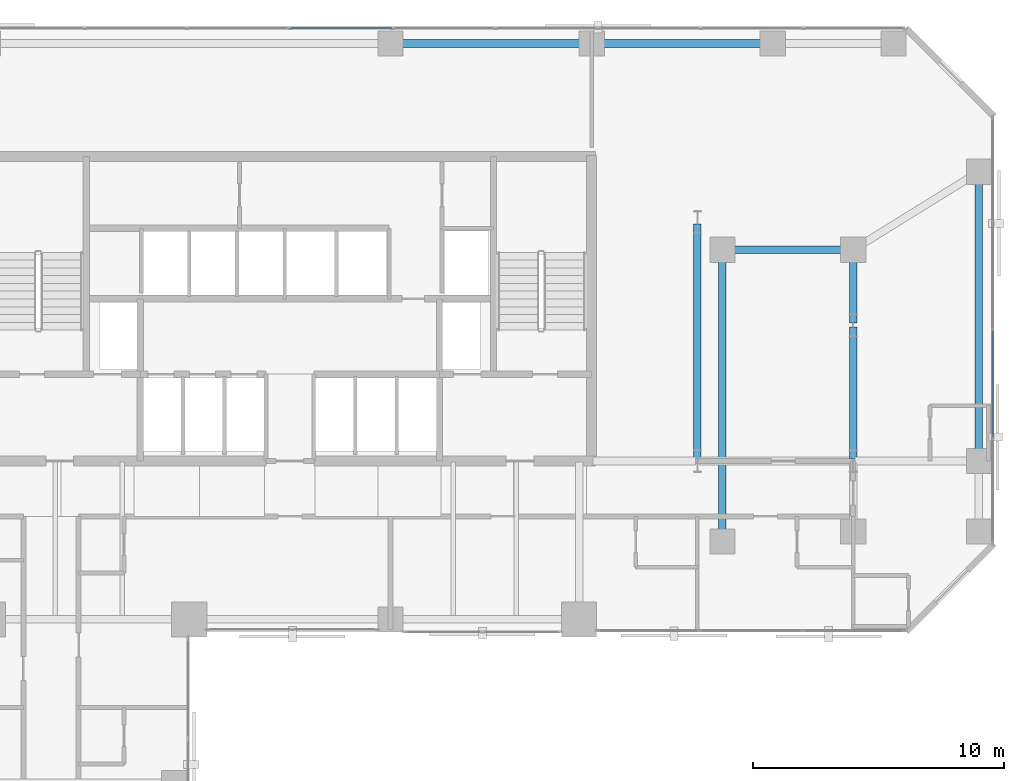
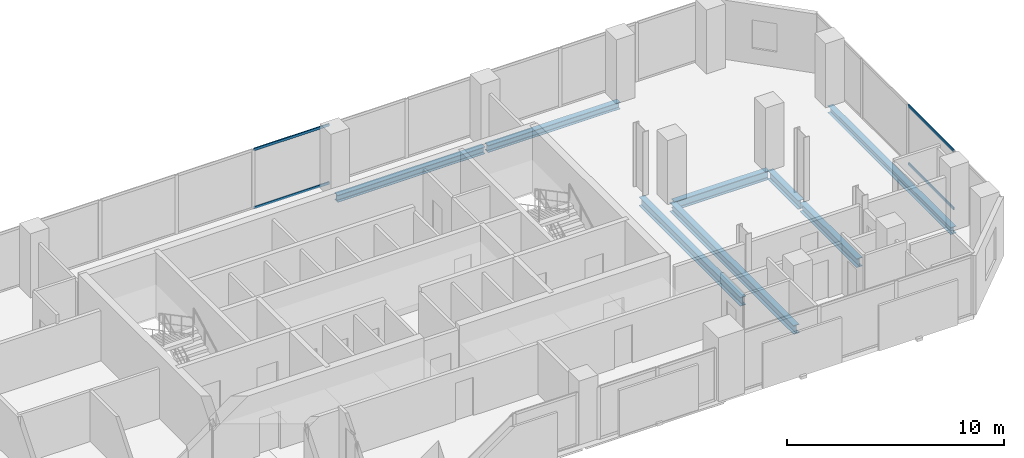
# One storey, part 22 of 31: 8 beams, 4 members, 2 elements without a shape of their own.
"""IFC4 building model written with IfcOpenShell, lengths in metres."""

from ifc_helpers import new_model, si_unit, direction, frame, origin, origin_2d, place, context, subcontext, project, spatial, hollow_rectangle, i_section, extrude, material, layer, layer_set, material_profile, profile_set, type_object, element, aggregate, save


model = new_model("IFC4")

# Units and contexts
model_context = context("Model", 3, precision=1e-05, world=origin(), true_north=direction((0.0, 1.0)))
body_context = subcontext(model_context, "Body", "Model", "MODEL_VIEW")
ifc_project = project(units=[si_unit("LENGTHUNIT", "METRE"), si_unit("AREAUNIT", "SQUARE_METRE"), si_unit("VOLUMEUNIT", "CUBIC_METRE"), si_unit("PLANEANGLEUNIT", "RADIAN"), si_unit("MASSUNIT", "GRAM", prefix="KILO")], contexts=[model_context])

# Site, building, storey
site_placement = place(None, origin())
site = spatial("IfcSite", under=ifc_project, at=site_placement, CompositionType="ELEMENT")
building_placement = place(site_placement, origin())
building = spatial("IfcBuilding", under=site, at=building_placement, Name="Catumbela Crestline Tower", CompositionType="ELEMENT")
storey_placement = place(building_placement, frame((0.0, 0.0, 40.2)))
storey = spatial("IfcBuildingStorey", under=building, at=storey_placement, Name="L09", CompositionType="ELEMENT", Elevation=40.2)

# Beams
ifc_material_1 = material(Name="Structural steel S355J2", Category="steel")
ifc_material_profile_1 = material_profile(ifc_material_1, i_section(OverallWidth=0.3, OverallDepth=0.5, WebThickness=0.0145, FlangeThickness=0.028, FilletRadius=0.027, at=origin_2d()), Name="HEB 500")
ifc_profile_set_1 = profile_set([ifc_material_profile_1], Name="Structural steel S355J2")
beam_type_1 = type_object("IfcBeamType", Name="BG-HEB500", PredefinedType="BEAM", material=ifc_profile_set_1)
beam_1_placement = place(storey_placement, frame((45.28, 39.2, -0.51), z_axis=(1.0, 0.0, 0.0), x_axis=(0.0, 1.0, 0.0)))
element("IfcBeam", 1, at=beam_1_placement, inside=storey, type_object=beam_type_1, Name="L09 Beam BM-L09-N17", PredefinedType="BEAM", context=body_context, shape_type="SweptSolid", body=[
    extrude(i_section(OverallWidth=0.3, OverallDepth=0.5, WebThickness=0.0145, FlangeThickness=0.028, FilletRadius=0.027, at=origin_2d()), origin(), (0.0, 0.0, 1.0), 5.04),
])
beam_2_placement = place(storey_placement, frame((44.2, 30.88, -0.51), z_axis=(0.0, 1.0, 0.0), x_axis=(-1.0, 0.0, 0.0)))
element("IfcBeam", 2, at=beam_2_placement, inside=storey, type_object=beam_type_1, Name="L09 Beam BM-L09-SN35", PredefinedType="BEAM", context=body_context, shape_type="SweptSolid", body=[
    extrude(i_section(OverallWidth=0.3, OverallDepth=0.5, WebThickness=0.0145, FlangeThickness=0.028, FilletRadius=0.027, at=origin_2d()), origin(), (0.0, 0.0, 1.0), 9.34),
])
beam_3_placement = place(storey_placement, frame((45.2, 27.68, -0.51), z_axis=(0.0, 1.0, 0.0), x_axis=(-1.0, 0.0, 0.0)))
element("IfcBeam", 3, at=beam_3_placement, inside=storey, type_object=beam_type_1, Name="L09 Beam BM-L09-SN36", PredefinedType="BEAM", context=body_context, shape_type="SweptSolid", body=[
    extrude(i_section(OverallWidth=0.3, OverallDepth=0.5, WebThickness=0.0145, FlangeThickness=0.028, FilletRadius=0.027, at=origin_2d()), origin(), (0.0, 0.0, 1.0), 11.44),
])
beam_4_placement = place(storey_placement, frame((50.4, 30.88, -0.51), z_axis=(0.0, 1.0, 0.0), x_axis=(-1.0, 0.0, 0.0)))
element("IfcBeam", 4, at=beam_4_placement, inside=storey, type_object=beam_type_1, Name="L09 Beam BM-L09-SN38", PredefinedType="BEAM", context=body_context, shape_type="SweptSolid", body=[
    extrude(i_section(OverallWidth=0.3, OverallDepth=0.5, WebThickness=0.0145, FlangeThickness=0.028, FilletRadius=0.027, at=origin_2d()), origin(), (0.0, 0.0, 1.0), 5.24),
])
beam_5_placement = place(storey_placement, frame((50.4, 36.28, -0.51), z_axis=(0.0, 1.0, 0.0), x_axis=(-1.0, 0.0, 0.0)))
element("IfcBeam", 5, at=beam_5_placement, inside=storey, type_object=beam_type_1, Name="L09 Beam BM-L09-SN39", PredefinedType="BEAM", context=body_context, shape_type="SweptSolid", body=[
    extrude(i_section(OverallWidth=0.3, OverallDepth=0.5, WebThickness=0.0145, FlangeThickness=0.028, FilletRadius=0.027, at=origin_2d()), origin(), (0.0, 0.0, 1.0), 2.84),
])
ifc_material_profile_2 = material_profile(ifc_material_1, i_section(OverallWidth=0.3, OverallDepth=0.39, WebThickness=0.011, FlangeThickness=0.019, FilletRadius=0.027, at=origin_2d()), Name="HEA 400")
ifc_profile_set_2 = profile_set([ifc_material_profile_2], Name="Structural steel S355J2")
beam_type_2 = type_object("IfcBeamType", Name="BS-HEA400", PredefinedType="SPANDREL", material=ifc_profile_set_2)
beam_6_placement = place(storey_placement, frame((32.08, 47.4, -0.455), z_axis=(1.0, 0.0, 0.0), x_axis=(0.0, 1.0, 0.0)))
element("IfcBeam", 6, at=beam_6_placement, inside=storey, type_object=beam_type_2, Name="L09 Spandrel SP-L09-NF22", PredefinedType="SPANDREL", context=body_context, shape_type="SweptSolid", body=[
    extrude(i_section(OverallWidth=0.3, OverallDepth=0.39, WebThickness=0.011, FlangeThickness=0.019, FilletRadius=0.027, at=origin_2d()), origin(), (0.0, 0.0, 1.0), 7.84),
])
beam_7_placement = place(storey_placement, frame((40.08, 47.4, -0.455), z_axis=(1.0, 0.0, 0.0), x_axis=(0.0, 1.0, 0.0)))
element("IfcBeam", 7, at=beam_7_placement, inside=storey, type_object=beam_type_2, Name="L09 Spandrel SP-L09-NF23", PredefinedType="SPANDREL", context=body_context, shape_type="SweptSolid", body=[
    extrude(i_section(OverallWidth=0.3, OverallDepth=0.39, WebThickness=0.011, FlangeThickness=0.019, FilletRadius=0.027, at=origin_2d()), origin(), (0.0, 0.0, 1.0), 7.04),
])
beam_8_placement = place(storey_placement, frame((55.4, 30.88, -0.455), z_axis=(0.0, 1.0, 0.0), x_axis=(-1.0, 0.0, 0.0)))
element("IfcBeam", 8, at=beam_8_placement, inside=storey, type_object=beam_type_2, Name="L09 Spandrel SP-L09-SN41", PredefinedType="SPANDREL", context=body_context, shape_type="SweptSolid", body=[
    extrude(i_section(OverallWidth=0.3, OverallDepth=0.39, WebThickness=0.011, FlangeThickness=0.019, FilletRadius=0.027, at=origin_2d()), origin(), (0.0, 0.0, 1.0), 11.34),
])

# Curtain wall, members
ifc_material_2 = material(Name="Aluminium alloy AW-6060-T66", Category="aluminium")
ifc_layer = layer(ifc_material_2, 0.18, Name="Aluminium alloy AW-6060-T66")
ifc_layer_set = layer_set([ifc_layer], Name="Aluminium alloy AW-6060-T66")
curtain_wall_type = type_object("IfcCurtainWallType", Name="CWU-Z1", PredefinedType="USERDEFINED", material=ifc_layer_set)
curtain_wall_1_placement = place(storey_placement, origin())
curtain_wall_1 = element("IfcCurtainWall", 9, at=curtain_wall_1_placement, inside=storey, type_object=curtain_wall_type, Name="L09 Unitised Curtain Wall CW-L09-E5S1", ObjectType="UNITISED", PredefinedType="USERDEFINED")
ifc_material_profile_3 = material_profile(ifc_material_2, hollow_rectangle(XDim=0.06, YDim=0.14, WallThickness=0.004, at=origin_2d()), Name="ALU 140x60x4")
ifc_profile_set_3 = profile_set([ifc_material_profile_3], Name="Aluminium alloy AW-6060-T66")
member_type = type_object("IfcMemberType", Name="TRN-140X60", PredefinedType="USERDEFINED", material=ifc_profile_set_3)
member_1_placement = place(storey_placement, frame((55.95, 31.7825, 0.03), z_axis=(0.0, 1.0, 0.0), x_axis=(-1.0, 0.0, 0.0)))
member_1 = element("IfcMember", 10, at=member_1_placement, type_object=member_type, Name="CWU-Z1 transom 2.1", ObjectType="TRANSOM", PredefinedType="USERDEFINED", context=body_context, shape_type="SweptSolid", body=[
    extrude(hollow_rectangle(XDim=0.06, YDim=0.14, WallThickness=0.004, at=origin_2d()), origin(), (0.0, 0.0, 1.0), 4.185),
])
member_2_placement = place(storey_placement, frame((55.95, 31.7825, 3.3), z_axis=(0.0, 1.0, 0.0), x_axis=(-1.0, 0.0, 0.0)))
member_2 = element("IfcMember", 11, at=member_2_placement, type_object=member_type, Name="CWU-Z1 transom 2.2", ObjectType="TRANSOM", PredefinedType="USERDEFINED", context=body_context, shape_type="SweptSolid", body=[
    extrude(hollow_rectangle(XDim=0.06, YDim=0.14, WallThickness=0.004, at=origin_2d()), origin(), (0.0, 0.0, 1.0), 4.185),
])
aggregate(curtain_wall_1, [member_1, member_2])

curtain_wall_2_placement = place(storey_placement, origin())
curtain_wall_2 = element("IfcCurtainWall", 12, at=curtain_wall_2_placement, inside=storey, type_object=curtain_wall_type, Name="L09 Unitised Curtain Wall CW-L09-E7S1", ObjectType="UNITISED", PredefinedType="USERDEFINED")
member_3_placement = place(storey_placement, frame((32.0508, 48.0, 0.03), z_axis=(-1.0, 0.0, 0.0), x_axis=(0.0, -1.0, 0.0)))
member_3 = element("IfcMember", 13, at=member_3_placement, type_object=member_type, Name="CWU-Z1 transom 6.1", ObjectType="TRANSOM", PredefinedType="USERDEFINED", context=body_context, shape_type="SweptSolid", body=[
    extrude(hollow_rectangle(XDim=0.06, YDim=0.14, WallThickness=0.004, at=origin_2d()), origin(), (0.0, 0.0, 1.0), 4.0183),
])
member_4_placement = place(storey_placement, frame((32.0508, 48.0, 3.3), z_axis=(-1.0, 0.0, 0.0), x_axis=(0.0, -1.0, 0.0)))
member_4 = element("IfcMember", 14, at=member_4_placement, type_object=member_type, Name="CWU-Z1 transom 6.2", ObjectType="TRANSOM", PredefinedType="USERDEFINED", context=body_context, shape_type="SweptSolid", body=[
    extrude(hollow_rectangle(XDim=0.06, YDim=0.14, WallThickness=0.004, at=origin_2d()), origin(), (0.0, 0.0, 1.0), 4.0183),
])
aggregate(curtain_wall_2, [member_3, member_4])

save(model, "model.ifc")
